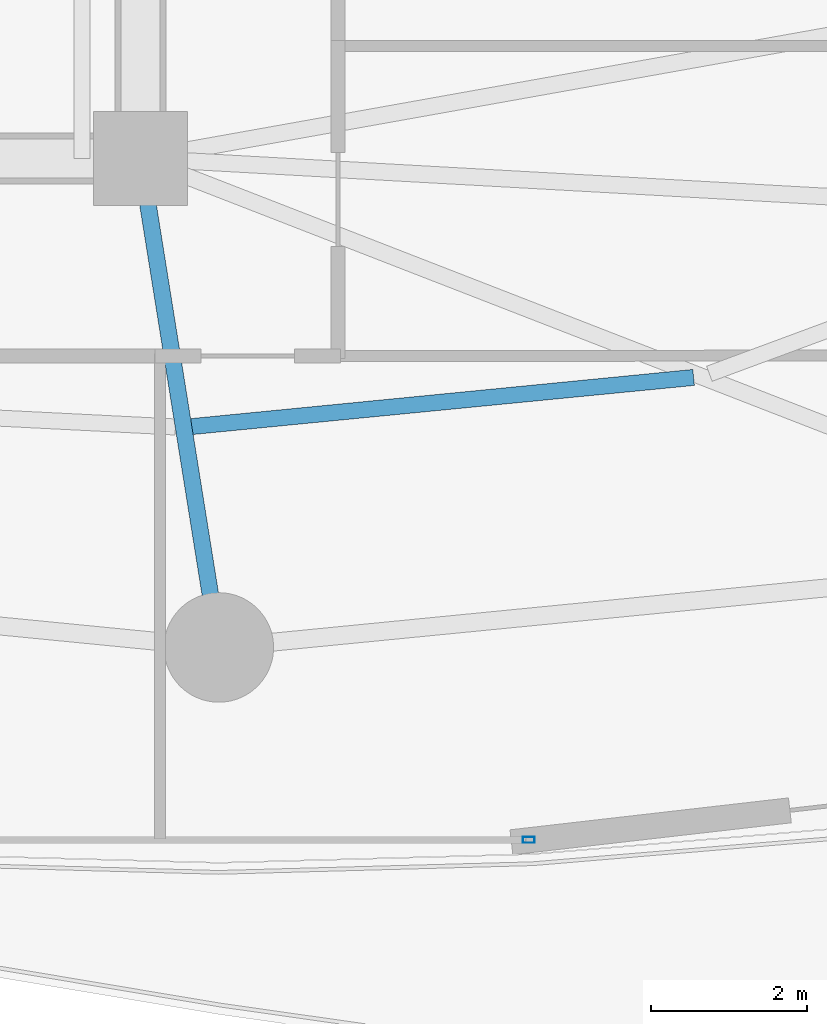
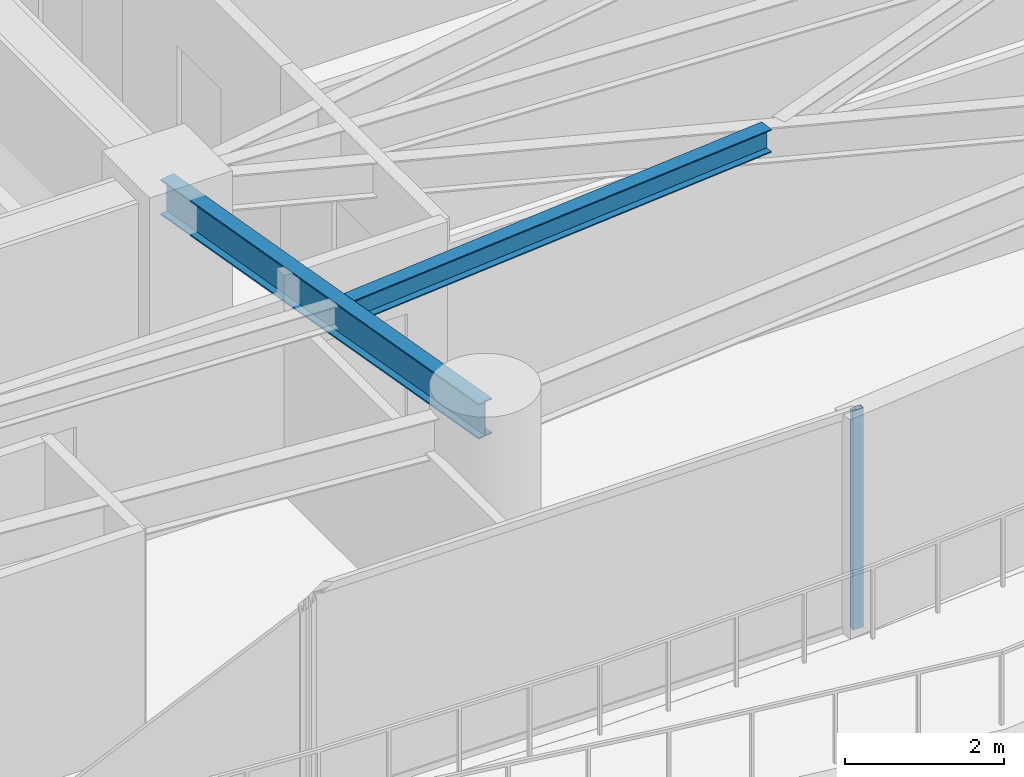
# One storey, part 10 of 33: 2 beams, 1 member, 1 element without a shape of its own.
"""IFC4 building model written with IfcOpenShell, lengths in metres."""

from ifc_helpers import new_model, si_unit, direction, frame, origin, origin_2d, place, context, subcontext, project, spatial, hollow_rectangle, i_section, extrude, material, layer, layer_set, material_profile, profile_set, type_object, element, aggregate, save


model = new_model("IFC4")

# Units and contexts
model_context = context("Model", 3, precision=1e-05, world=origin(), true_north=direction((0.0, 1.0)))
body_context = subcontext(model_context, "Body", "Model", "MODEL_VIEW")
ifc_project = project(units=[si_unit("LENGTHUNIT", "METRE"), si_unit("AREAUNIT", "SQUARE_METRE"), si_unit("VOLUMEUNIT", "CUBIC_METRE"), si_unit("PLANEANGLEUNIT", "RADIAN"), si_unit("MASSUNIT", "GRAM", prefix="KILO")], contexts=[model_context])

# Site, building, storey
site_placement = place(None, origin())
site = spatial("IfcSite", under=ifc_project, at=site_placement, CompositionType="ELEMENT")
building_placement = place(site_placement, origin())
building = spatial("IfcBuilding", under=site, at=building_placement, Name="Kazevale Care Tower and Concert Hall", CompositionType="ELEMENT")
storey_placement = place(building_placement, frame((0.0, 0.0, 49.199951171875)))
storey = spatial("IfcBuildingStorey", under=building, at=storey_placement, Name="L12", CompositionType="ELEMENT", Elevation=49.199951171875)

# Curtain wall, member
ifc_material_1 = material(Name="Aluminium 6063-T6 and Low-E Glass", Category="aluminium")
ifc_layer = layer(ifc_material_1, 0.179931640625)
ifc_layer_set = layer_set([ifc_layer], Name="Aluminium 6063-T6 and Low-E Glass")
curtain_wall_type = type_object("IfcCurtainWallType", Name="Sheltered Concave Balcony Curtain Wall CW-5", PredefinedType="NOTDEFINED", material=ifc_layer_set)
curtain_wall_placement = place(storey_placement, origin())
curtain_wall = element("IfcCurtainWall", 1, at=curtain_wall_placement, inside=storey, type_object=curtain_wall_type, Name="cw:L12:f06", PredefinedType="NOTDEFINED")
ifc_material_2 = material(Name="Aluminium 6063-T6", Category="aluminium")
ifc_material_profile_1 = material_profile(ifc_material_2, hollow_rectangle(XDim=0.074951171875, YDim=0.14990234375, WallThickness=0.00390625, at=origin_2d()), Name="ALU75x150x4")
ifc_profile_set_1 = profile_set([ifc_material_profile_1], Name="Aluminium 6063-T6")
member_type = type_object("IfcMemberType", Name="CW-5 Mullion ALU75x150x4", PredefinedType="MULLION", material=ifc_profile_set_1)
member_placement = place(storey_placement, frame((48.96044921875, 14.889892578125, 0.0), z_axis=(0.0, 0.0, 1.0), x_axis=(0.0, -1.0, 0.0)))
member = element("IfcMember", 2, at=member_placement, type_object=member_type, Name="CW-5 mullion 1", PredefinedType="MULLION", context=body_context, shape_type="SweptSolid", body=[
    extrude(hollow_rectangle(XDim=0.074951171875, YDim=0.14990234375, WallThickness=0.00390625, at=origin_2d()), origin(), (0.0, 0.0, 1.0), 3.360107421875),
])
aggregate(curtain_wall, [member])

# Beams
ifc_material_3 = material(Name="Steel ASTM A572 Gr 50", Category="steel")
ifc_material_profile_2 = material_profile(ifc_material_3, i_section(OverallWidth=0.2119140625, OverallDepth=0.5439453125, WebThickness=0.01318359375, FlangeThickness=0.021240234375, at=origin_2d()), Name="W530x123")
ifc_profile_set_2 = profile_set([ifc_material_profile_2], Name="Steel ASTM A572 Gr 50")
beam_type_1 = type_object("IfcBeamType", Name="Radial Floor Girder W530x123", PredefinedType="BEAM", material=ifc_profile_set_2)
beam_1_placement = place(storey_placement, frame((44.0, 23.60009765625, 3.088134765625), z_axis=(0.157990501107, -0.987440631917, 0.0), x_axis=(0.987440631917, 0.157990501107, 0.0)))
element("IfcBeam", 3, at=beam_1_placement, inside=storey, type_object=beam_type_1, Name="beam:L12:rad:13", PredefinedType="BEAM", context=body_context, shape_type="SweptSolid", body=[
    extrude(i_section(OverallWidth=0.2119140625, OverallDepth=0.5439453125, WebThickness=0.01318359375, FlangeThickness=0.021240234375, at=origin_2d()), origin(), (0.0, 0.0, 1.0), 6.32958984375),
])
ifc_material_profile_3 = material_profile(ifc_material_3, i_section(OverallWidth=0.205078125, OverallDepth=0.35400390625, WebThickness=0.009521484375, FlangeThickness=0.016845703125, at=origin_2d()), Name="W360x79")
ifc_profile_set_3 = profile_set([ifc_material_profile_3], Name="Steel ASTM A572 Gr 50")
beam_type_2 = type_object("IfcBeamType", Name="Secondary Floor Joist W360x79", PredefinedType="JOIST", material=ifc_profile_set_3)
beam_2_placement = place(storey_placement, frame((44.654052734375, 20.173095703125, 3.18310546875), z_axis=(0.995242075791, 0.097433108212, 0.0), x_axis=(-0.097433108212, 0.995242075791, 0.0)))
element("IfcBeam", 4, at=beam_2_placement, inside=storey, type_object=beam_type_2, Name="beam:L12:joist:13", PredefinedType="JOIST", context=body_context, shape_type="SweptSolid", body=[
    extrude(i_section(OverallWidth=0.205078125, OverallDepth=0.35400390625, WebThickness=0.009521484375, FlangeThickness=0.016845703125, at=origin_2d()), origin(), (0.0, 0.0, 1.0), 6.44482421875),
])

save(model, "model.ifc")
